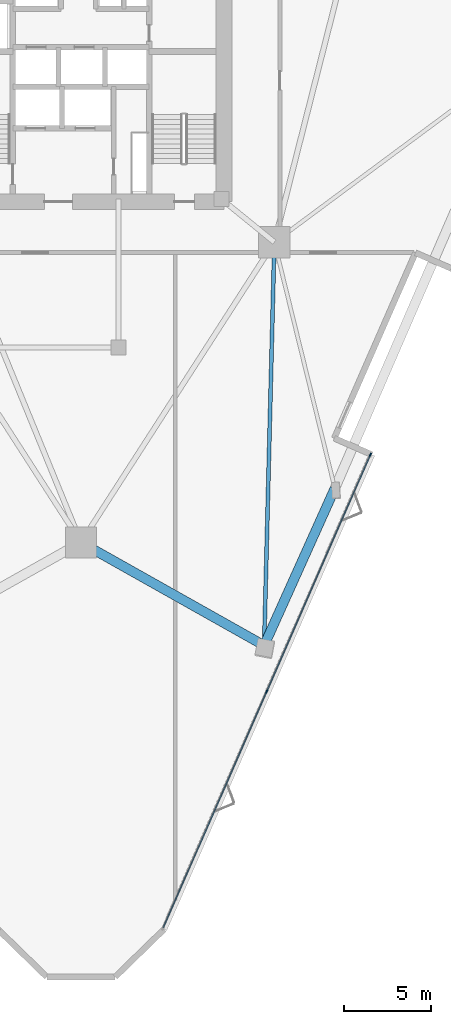
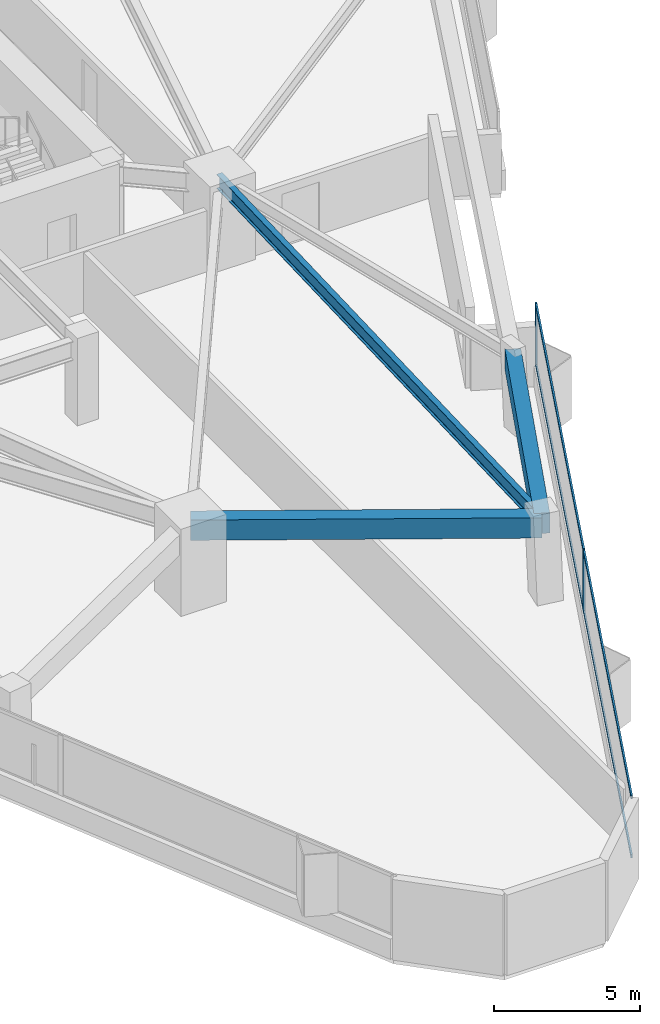
# One storey, part 3 of 14: 6 members, 3 beams, 1 element without a shape of its own.
"""IFC4 building model written with IfcOpenShell, lengths in metres."""

from ifc_helpers import new_model, si_unit, direction, frame, origin, origin_2d, place, context, subcontext, project, spatial, rectangle, i_section, extrude, material, layer, layer_set, material_profile, profile_set, type_object, element, aggregate, save


model = new_model("IFC4")

# Units and contexts
model_context = context("Model", 3, precision=1e-05, world=origin(), true_north=direction((0.0, 1.0)))
body_context = subcontext(model_context, "Body", "Model", "MODEL_VIEW")
ifc_project = project(units=[si_unit("LENGTHUNIT", "METRE"), si_unit("AREAUNIT", "SQUARE_METRE"), si_unit("VOLUMEUNIT", "CUBIC_METRE"), si_unit("PLANEANGLEUNIT", "RADIAN"), si_unit("MASSUNIT", "GRAM", prefix="KILO")], contexts=[model_context])

# Site, building, storey
site_placement = place(None, origin())
site = spatial("IfcSite", under=ifc_project, at=site_placement, CompositionType="ELEMENT")
building_placement = place(site_placement, origin())
building = spatial("IfcBuilding", under=site, at=building_placement, Name="Talyreon Biosciences Tower", CompositionType="ELEMENT")
storey_placement = place(building_placement, frame((0.0, 0.0, 48.35009765625)))
storey = spatial("IfcBuildingStorey", under=building, at=storey_placement, Name="L12", CompositionType="ELEMENT", Elevation=48.35009765625)

# Curtain wall, members
ifc_material_1 = material(Name="Thermally broken aluminium and low-E glazing", Category="aluminium")
ifc_layer = layer(ifc_material_1, 0.205078125)
ifc_layer_set = layer_set([ifc_layer], Name="Thermally broken aluminium and low-E glazing")
curtain_wall_type = type_object("IfcCurtainWallType", Name="CurtainWall_SkyGardenLoggia", PredefinedType="NOTDEFINED", material=ifc_layer_set)
curtain_wall_placement = place(storey_placement, origin())
curtain_wall = element("IfcCurtainWall", 1, at=curtain_wall_placement, inside=storey, type_object=curtain_wall_type, Name="L12 Unitised Curtain Wall FCW-L12-11", PredefinedType="NOTDEFINED")
ifc_material_2 = material(Name="Anodised thermally broken aluminium", Category="aluminium")
ifc_material_profile_1 = material_profile(ifc_material_2, rectangle(XDim=0.074951171875, YDim=0.2099609375, at=origin_2d()), Name="ALUM MULLION 75x210")
ifc_profile_set_1 = profile_set([ifc_material_profile_1], Name="Anodised thermally broken aluminium")
member_type_1 = type_object("IfcMemberType", Name="CWMullion_75x210", PredefinedType="MULLION", material=ifc_profile_set_1)
member_1_placement = place(storey_placement, frame((82.589111328125, 46.697265625, 0.809814453125), z_axis=(0.0, 0.0, 1.0), x_axis=(0.916035598289, -0.401096974143, 0.0)))
member_1 = element("IfcMember", 2, at=member_1_placement, type_object=member_type_1, Name="CW7 mullion 1", PredefinedType="MULLION", context=body_context, shape_type="SweptSolid", body=[
    extrude(rectangle(XDim=0.074951171875, YDim=0.2099609375, at=origin_2d()), origin(), (0.0, 0.0, 1.0), 2.565185546875),
])
member_2_placement = place(storey_placement, frame((76.647216796875, 33.126953125, 0.809814453125), z_axis=(0.0, 0.0, 1.0), x_axis=(0.916035598289, -0.401096974143, 0.0)))
member_2 = element("IfcMember", 3, at=member_2_placement, type_object=member_type_1, Name="CW7 mullion 2", PredefinedType="MULLION", context=body_context, shape_type="SweptSolid", body=[
    extrude(rectangle(XDim=0.074951171875, YDim=0.2099609375, at=origin_2d()), origin(), (0.0, 0.0, 1.0), 2.565185546875),
])
ifc_material_profile_2 = material_profile(ifc_material_2, rectangle(XDim=0.06494140625, YDim=0.139892578125, at=origin_2d()), Name="ALUM TRANSOM 65x140")
ifc_profile_set_2 = profile_set([ifc_material_profile_2], Name="Anodised thermally broken aluminium")
member_type_2 = type_object("IfcMemberType", Name="CWTransom_65x140", PredefinedType="USERDEFINED", material=ifc_profile_set_2)
member_3_placement = place(storey_placement, frame((82.573974609375, 46.6630859375, 0.84228515625), z_axis=(-0.401096003842, -0.916036023146, 0.0), x_axis=(0.916036023146, -0.401096003842, 0.0)))
member_3 = element("IfcMember", 4, at=member_3_placement, type_object=member_type_2, Name="CW7 transom 1.1", ObjectType="TRANSOM", PredefinedType="USERDEFINED", context=body_context, shape_type="SweptSolid", body=[
    extrude(rectangle(XDim=0.06494140625, YDim=0.139892578125, at=origin_2d()), origin(), (0.0, 0.0, 1.0), 14.7392578125),
])
member_4_placement = place(storey_placement, frame((82.573974609375, 46.6630859375, 3.34228515625), z_axis=(-0.401096003842, -0.916036023146, 0.0), x_axis=(0.916036023146, -0.401096003842, 0.0)))
member_4 = element("IfcMember", 5, at=member_4_placement, type_object=member_type_2, Name="CW7 transom 1.2", ObjectType="TRANSOM", PredefinedType="USERDEFINED", context=body_context, shape_type="SweptSolid", body=[
    extrude(rectangle(XDim=0.06494140625, YDim=0.139892578125, at=origin_2d()), origin(), (0.0, 0.0, 1.0), 14.7392578125),
])
member_5_placement = place(storey_placement, frame((76.632080078125, 33.092529296875, 0.84228515625), z_axis=(-0.401096003842, -0.916036023146, 0.0), x_axis=(0.916036023146, -0.401096003842, 0.0)))
member_5 = element("IfcMember", 6, at=member_5_placement, type_object=member_type_2, Name="CW7 transom 2.1", ObjectType="TRANSOM", PredefinedType="USERDEFINED", context=body_context, shape_type="SweptSolid", body=[
    extrude(rectangle(XDim=0.06494140625, YDim=0.139892578125, at=origin_2d()), origin(), (0.0, 0.0, 1.0), 14.7392578125),
])
member_6_placement = place(storey_placement, frame((76.632080078125, 33.092529296875, 3.34228515625), z_axis=(-0.401096003842, -0.916036023146, 0.0), x_axis=(0.916036023146, -0.401096003842, 0.0)))
member_6 = element("IfcMember", 7, at=member_6_placement, type_object=member_type_2, Name="CW7 transom 2.2", ObjectType="TRANSOM", PredefinedType="USERDEFINED", context=body_context, shape_type="SweptSolid", body=[
    extrude(rectangle(XDim=0.06494140625, YDim=0.139892578125, at=origin_2d()), origin(), (0.0, 0.0, 1.0), 14.7392578125),
])
aggregate(curtain_wall, [member_1, member_2, member_3, member_4, member_5, member_6])

# Beams
ifc_material_3 = material(Name="Precast concrete C45/55", Category="concrete")
ifc_material_profile_3 = material_profile(ifc_material_3, rectangle(XDim=0.550048828125, YDim=0.85009765625, at=origin_2d()), Name="RCB 550x850")
ifc_profile_set_3 = profile_set([ifc_material_profile_3], Name="Precast concrete C45/55")
beam_type_1 = type_object("IfcBeamType", Name="ExpressedSpandrel_550x850", PredefinedType="SPANDREL", material=ifc_profile_set_3)
beam_1_placement = place(storey_placement, frame((66.0, 41.6669921875, 2.949951171875), z_axis=(0.871580407914, -0.49025258035, 0.0), x_axis=(0.49025258035, 0.871580407914, 0.0)))
element("IfcBeam", 8, at=beam_1_placement, inside=storey, type_object=beam_type_1, Name="L12 Expressed Horizontal Concrete Spandrel 01", PredefinedType="SPANDREL", context=body_context, shape_type="SweptSolid", body=[
    extrude(rectangle(XDim=0.550048828125, YDim=0.85009765625, at=origin_2d()), origin(), (0.0, 0.0, 1.0), 12.04736328125),
])
beam_2_placement = place(storey_placement, frame((76.500244140625, 35.7607421875, 2.949951171875), z_axis=(0.410306091566, 0.911947866506, 0.0), x_axis=(-0.911947866506, 0.410306091566, 0.0)))
element("IfcBeam", 9, at=beam_2_placement, inside=storey, type_object=beam_type_1, Name="L12 Expressed Horizontal Concrete Spandrel 02", PredefinedType="SPANDREL", context=body_context, shape_type="SweptSolid", body=[
    extrude(rectangle(XDim=0.550048828125, YDim=0.85009765625, at=origin_2d()), origin(), (0.0, 0.0, 1.0), 9.876708984375),
])
ifc_material_4 = material(Name="Steel SM355", Category="steel")
ifc_material_profile_4 = material_profile(ifc_material_4, i_section(OverallWidth=0.219970703125, OverallDepth=0.60009765625, WebThickness=0.011962890625, FlangeThickness=0.01904296875, FilletRadius=0.02392578125, at=origin_2d()), Name="IPE600")
ifc_profile_set_4 = profile_set([ifc_material_profile_4], Name="Steel SM355")
beam_type_2 = type_object("IfcBeamType", Name="SteelJoist_IPE600", PredefinedType="JOIST", material=ifc_profile_set_4)
beam_3_placement = place(storey_placement, frame((77.086181640625, 58.88037109375, 3.074951171875), z_axis=(-0.025335588987, -0.999679002446, 0.0), x_axis=(0.999679002446, -0.025335588987, 0.0)))
element("IfcBeam", 10, at=beam_3_placement, inside=storey, type_object=beam_type_2, Name="L12 Radial Composite Floor Joist PC-SE1", PredefinedType="JOIST", context=body_context, shape_type="SweptSolid", body=[
    extrude(i_section(OverallWidth=0.219970703125, OverallDepth=0.60009765625, WebThickness=0.011962890625, FlangeThickness=0.01904296875, FilletRadius=0.02392578125, at=origin_2d()), origin(), (0.0, 0.0, 1.0), 23.126953125),
])

save(model, "model.ifc")
